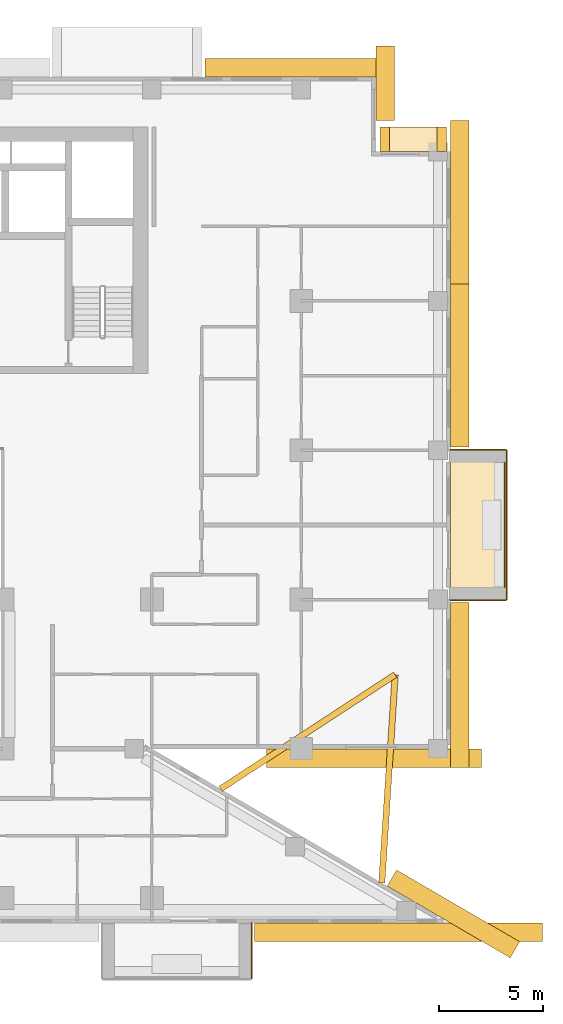
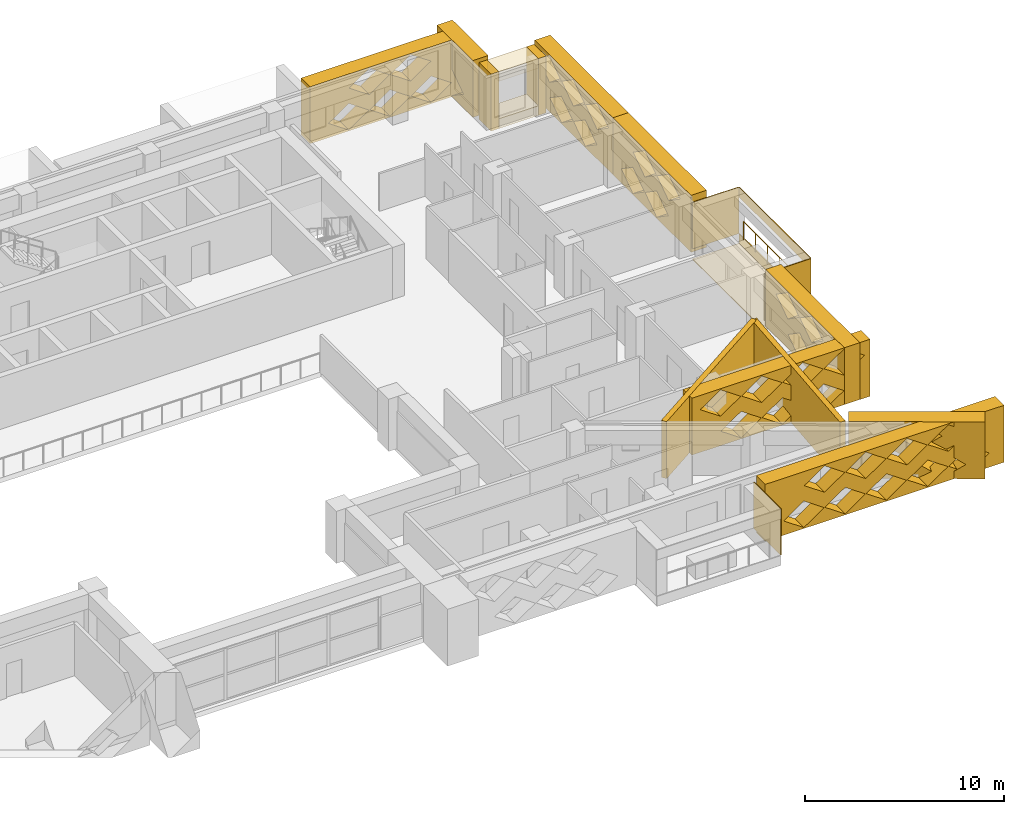
# One storey, part 20 of 20: 20 coverings, 1 railing.
"""IFC4 building model written with IfcOpenShell, lengths in metres."""

import ifcopenshell
import ifcopenshell.guid

model = None  # the IFC model being written
_history = None  # IfcOwnerHistory: only IFC2X3 demands one
_inside = {}  # id of a spatial element -> (the spatial element, [elements in it])
_under = {}  # id of a project, library or spatial element -> (it, [spatial elements below it])
_declared = {}  # id of a project -> (the project, [libraries it declares])
_typed = {}  # id of a type object -> (the type object, [elements of that type])
_made_of = {}  # id of a material, layer set ... -> (it, [elements and type objects made of it])


def new_model(schema):
    """Start an empty IFC model of exactly this schema.

    Asked for "IFC4X3", IfcOpenShell would pick the latest addendum, in which some entities
    have other attributes; the version numbers below select the first issue.
    IFC2X3 requires an IfcOwnerHistory on every rooted entity: one is made here for all.
    """
    global model, _history
    if schema == "IFC4X3":
        model = ifcopenshell.file(schema_version=(4, 3, 0, 0))
    else:
        model = ifcopenshell.file(schema=schema)
    _inside.clear()
    _under.clear()
    _declared.clear()
    _typed.clear()
    _made_of.clear()
    _history = None
    if model.schema == "IFC2X3":
        org = make("IfcOrganization", Name="unknown")
        user = make(
            "IfcPersonAndOrganization",
            ThePerson=make("IfcPerson", FamilyName="unknown"),
            TheOrganization=org,
        )
        app = make(
            "IfcApplication",
            ApplicationDeveloper=org,
            Version="unknown",
            ApplicationFullName="unknown",
            ApplicationIdentifier="unknown",
        )
        _history = make(
            "IfcOwnerHistory",
            OwningUser=user,
            OwningApplication=app,
            ChangeAction="ADDED",
            CreationDate=0,
        )
    return model


def make(cls, **values):
    """One entity of the class cls with the attributes given. An attribute that is None is left unset."""
    return model.create_entity(
        cls, **{name: value for name, value in values.items() if value is not None}
    )


def rooted(cls, **values):
    """An entity with a GlobalId (a new one), such as an element, a storey or a relation."""
    return make(cls, GlobalId=ifcopenshell.guid.new(), OwnerHistory=_history, **values)


def si_unit(unit_type, name, prefix=None):
    """IfcSIUnit, for example si_unit("LENGTHUNIT", "METRE", prefix="MILLI")."""
    return make("IfcSIUnit", UnitType=unit_type, Prefix=prefix, Name=name)


def assignment(units):
    """IfcUnitAssignment: the units of a project."""
    return None if units is None else make("IfcUnitAssignment", Units=units)


def point(xyz):
    """IfcCartesianPoint."""
    return None if xyz is None else make("IfcCartesianPoint", Coordinates=xyz)


def direction(xyz):
    """IfcDirection."""
    return None if xyz is None else make("IfcDirection", DirectionRatios=xyz)


def frame(location, z_axis=None, x_axis=None):
    """IfcAxis2Placement3D, a coordinate frame: its origin and axes. An axis left out is left unset."""
    return make(
        "IfcAxis2Placement3D",
        Location=point(location),
        Axis=direction(z_axis),
        RefDirection=direction(x_axis),
    )


def frame_2d(location, x_axis=None):
    """IfcAxis2Placement2D, a coordinate frame in the plane: its origin and x axis."""
    return make(
        "IfcAxis2Placement2D", Location=point(location), RefDirection=direction(x_axis)
    )


def origin():
    """The frame at (0, 0, 0) with its axes left unset."""
    return frame((0.0, 0.0, 0.0))


def origin_2d():
    """The frame at (0, 0) in the plane with its x axis left unset."""
    return frame_2d((0.0, 0.0))


def place(relative_to, where):
    """IfcLocalPlacement: puts the frame where relative to a parent placement (None: the world)."""
    return make(
        "IfcLocalPlacement", PlacementRelTo=relative_to, RelativePlacement=where
    )


def context(
    kind, dimensions, precision=None, world=None, true_north=None, identifier=None
):
    """IfcGeometricRepresentationContext, for example the 3D "Model" context."""
    return make(
        "IfcGeometricRepresentationContext",
        ContextIdentifier=identifier,
        ContextType=kind,
        CoordinateSpaceDimension=dimensions,
        Precision=precision,
        WorldCoordinateSystem=world,
        TrueNorth=true_north,
    )


def subcontext(parent, identifier, kind, view, scale=None):
    """IfcGeometricRepresentationSubContext, for example "Body" below "Model"."""
    return make(
        "IfcGeometricRepresentationSubContext",
        ContextIdentifier=identifier,
        ContextType=kind,
        ParentContext=parent,
        TargetScale=scale,
        TargetView=view,
    )


def project(units=None, contexts=None):
    """IfcProject with its units and contexts."""
    return rooted(
        "IfcProject",
        Name="project",
        RepresentationContexts=contexts,
        UnitsInContext=assignment(units),
    )


def spatial(cls, under=None, at=None, **own):
    """A site, building, storey or space (cls), placed at a placement, below another one or the project."""
    s = rooted(cls, ObjectPlacement=at, **own)
    if under is not None:
        _under.setdefault(under.id(), (under, []))[1].append(s)
    return s


def polyline(points):
    """IfcPolyline through the points."""
    return make("IfcPolyline", Points=[point(p) for p in points])


def profile(cls, at=None, kind="AREA", **sizes):
    """A parametric profile (cls). Its sizes go by their IFC names, for example OverallWidth=200.0."""
    return make(cls, ProfileType=kind, Position=at, **sizes)


def circle(**sizes):
    """IfcCircleProfileDef."""
    return profile("IfcCircleProfileDef", **sizes)


def outline(outer, holes=None, kind="AREA"):
    """IfcArbitraryClosedProfileDef: a profile drawn as a closed curve; with holes, ...WithVoids."""
    if holes is None:
        return make("IfcArbitraryClosedProfileDef", ProfileType=kind, OuterCurve=outer)
    return make(
        "IfcArbitraryProfileDefWithVoids",
        ProfileType=kind,
        OuterCurve=outer,
        InnerCurves=holes,
    )


def extrude(swept, where, along, depth):
    """IfcExtrudedAreaSolid: the profile swept, set in the frame where, extruded along a direction by depth."""
    return make(
        "IfcExtrudedAreaSolid",
        SweptArea=swept,
        Position=where,
        ExtrudedDirection=direction(along),
        Depth=depth,
    )


def shape(context_of_items, identifier, shape_type, items):
    """IfcShapeRepresentation: the items that make up one representation, for example the "Body"."""
    return make(
        "IfcShapeRepresentation",
        ContextOfItems=context_of_items,
        RepresentationIdentifier=identifier,
        RepresentationType=shape_type,
        Items=items,
    )


def material(Name=None, Category=None):
    """IfcMaterial."""
    return make("IfcMaterial", Name=Name, Category=Category)


def layer(
    of_material, thickness, ventilated=None, Name=None, Category=None, Priority=None
):
    """IfcMaterialLayer: one layer of a wall or slab, of a material (None: an air gap)."""
    return make(
        "IfcMaterialLayer",
        Material=of_material,
        LayerThickness=thickness,
        IsVentilated=ventilated,
        Name=Name,
        Category=Category,
        Priority=Priority,
    )


def layer_set(layers, Name=None):
    """IfcMaterialLayerSet."""
    return make("IfcMaterialLayerSet", MaterialLayers=layers, LayerSetName=Name)


def made_of(thing, what):
    """Note that an element or type object is made of a material, layer set ...; save() writes the relation."""
    if what is not None:
        _made_of.setdefault(what.id(), (what, []))[1].append(thing)
    return thing


def type_object(cls, material=None, **own):
    """A type object (cls), such as IfcWallType, which elements share."""
    return made_of(rooted(cls, **own), material)


def element(
    cls,
    number,
    at=None,
    inside=None,
    cuts=None,
    type_object=None,
    material=None,
    context=None,
    identifier="Body",
    shape_type=None,
    held_by="IfcProductDefinitionShape",
    body=None,
    shapes=None,
    **own,
):
    """One element of the class cls, such as IfcWall. Its Tag is "e" and its number.

    at: its placement. inside: the storey or other place that contains it. cuts: it is an
    opening in that element (IfcRelVoidsElement). A single representation is given by context,
    identifier, shape_type and body (its items); several are given by shapes. held_by: the class
    of the entity that holds the representations. save() writes the other relations.
    """
    e = rooted(cls, Tag="e%d" % number, ObjectPlacement=at, **own)
    if body is not None:
        shapes = [shape(context, identifier, shape_type, body)]
    if shapes is not None:
        e.Representation = make(held_by, Representations=shapes)
    if inside is not None:
        _inside.setdefault(inside.id(), (inside, []))[1].append(e)
    if cuts is not None:
        rooted(
            "IfcRelVoidsElement", RelatingBuildingElement=cuts, RelatedOpeningElement=e
        )
    if type_object is not None:
        _typed.setdefault(type_object.id(), (type_object, []))[1].append(e)
    return made_of(e, material)


def aggregate(whole, parts):
    """IfcRelAggregates: a whole, such as a stair, and the parts it consists of."""
    return rooted("IfcRelAggregates", RelatingObject=whole, RelatedObjects=parts)


def save(model, path):
    """Write the relations noted so far, then the file.

    IfcRelAggregates (storeys below a building ...), IfcRelContainedInSpatialStructure (elements
    in a storey), IfcRelDefinesByType, IfcRelAssociatesMaterial and IfcRelDeclares: one each for
    every whole, place, type object, material and project.
    """
    for whole, parts in _under.values():
        aggregate(whole, parts)
    for where, things in _inside.values():
        rooted(
            "IfcRelContainedInSpatialStructure",
            RelatedElements=things,
            RelatingStructure=where,
        )
    for kind, things in _typed.values():
        rooted("IfcRelDefinesByType", RelatedObjects=things, RelatingType=kind)
    for what, things in _made_of.values():
        rooted("IfcRelAssociatesMaterial", RelatedObjects=things, RelatingMaterial=what)
    for by, libraries in _declared.values():
        rooted("IfcRelDeclares", RelatingContext=by, RelatedDefinitions=libraries)
    model.write(path)


model = new_model("IFC4")

# Units and contexts
model_context = context("Model", 3, precision=1e-05, world=origin(), true_north=direction((0.0, 1.0)))
body_context = subcontext(model_context, "Body", "Model", "MODEL_VIEW")
ifc_project = project(units=[si_unit("LENGTHUNIT", "METRE"), si_unit("AREAUNIT", "SQUARE_METRE"), si_unit("VOLUMEUNIT", "CUBIC_METRE"), si_unit("PLANEANGLEUNIT", "RADIAN"), si_unit("MASSUNIT", "GRAM", prefix="KILO")], contexts=[model_context])

# Site, building, storey
site_placement = place(None, origin())
site = spatial("IfcSite", under=ifc_project, at=site_placement, CompositionType="ELEMENT")
building_placement = place(site_placement, origin())
building = spatial("IfcBuilding", under=site, at=building_placement, Name="Saffron Iwan Residences", CompositionType="ELEMENT")
storey_placement = place(building_placement, frame((0.0, 0.0, 123.5)))
storey = spatial("IfcBuildingStorey", under=building, at=storey_placement, Name="L32", CompositionType="ELEMENT", Elevation=123.5)

# Railing
ifc_material_1 = material(Name="Stainless steel 316", Category="steel")
railing_type = type_object("IfcRailingType", Name="BALCONY GUARD 1150", PredefinedType="GUARDRAIL", material=ifc_material_1)
railing_placement = place(storey_placement, frame((89.02490234375, 55.800048828125, 0.0)))
element("IfcRailing", 1, at=railing_placement, inside=storey, type_object=railing_type, Name="Balcony guard L32 F2-0", PredefinedType="GUARDRAIL", context=body_context, shape_type="SweptSolid", body=[
    extrude(circle(Radius=0.02392578125, at=origin_2d()), frame((0.0, 0.0, 1.1259765625), z_axis=(0.0, 1.0, 0.0), x_axis=(-1.0, 0.0, 0.0)), (0.0, 0.0, 1.0), 6.0),
    extrude(circle(Radius=0.02099609375, at=origin_2d()), origin(), (0.0, 0.0, 1.0), 1.101806640625),
    extrude(circle(Radius=0.02099609375, at=origin_2d()), frame((0.0, 1.199951171875, 0.0)), (0.0, 0.0, 1.0), 1.101806640625),
    extrude(circle(Radius=0.02099609375, at=origin_2d()), frame((0.0, 2.39990234375, 0.0)), (0.0, 0.0, 1.0), 1.101806640625),
    extrude(circle(Radius=0.02099609375, at=origin_2d()), frame((0.0, 3.60009765625, 0.0)), (0.0, 0.0, 1.0), 1.101806640625),
    extrude(circle(Radius=0.02099609375, at=origin_2d()), frame((0.0, 4.800048828125, 0.0)), (0.0, 0.0, 1.0), 1.101806640625),
    extrude(circle(Radius=0.02099609375, at=origin_2d()), frame((0.0, 6.0, 0.0)), (0.0, 0.0, 1.0), 1.101806640625),
])

# Coverings
ifc_material_2 = material(Name="Precast concrete C40/50 white painted", Category="concrete")
ifc_layer_1 = layer(ifc_material_2, 0.050048828125)
ifc_layer_set_1 = layer_set([ifc_layer_1], Name="Precast concrete C40/50 white painted")
covering_type_1 = type_object("IfcCoveringType", Name="FRAME SKIN PRECAST WHITE 50", PredefinedType="CLADDING", material=ifc_layer_set_1)
for number, where, name in (
    (2, (0.0, 0.0, -0.60009765625), "Frame skin slab edge L32 F2-0"),
    (3, (0.0, 0.0, 2.25), "Frame skin fascia L32 F2-0"),
):
    element("IfcCovering", number, at=place(storey_placement, frame(where)), inside=storey, type_object=covering_type_1, Name=name, PredefinedType="CLADDING", context=body_context, shape_type="SweptSolid", body=[
        extrude(outline(polyline([(89.14990234375, 55.199951171875), (89.14990234375, 62.39990234375), (89.10009765625, 62.39990234375), (89.10009765625, 55.199951171875), (89.14990234375, 55.199951171875)])), origin(), (0.0, 0.0, 1.0), 0.60009765625),
    ])
covering_1_placement = place(storey_placement, frame((0.0, 0.0, -0.64990234375)))
element("IfcCovering", 4, at=covering_1_placement, inside=storey, type_object=covering_type_1, Name="Frame skin soffit L32 F2-0", PredefinedType="CLADDING", context=body_context, shape_type="SweptSolid", body=[
    extrude(outline(polyline([(89.10009765625, 55.199951171875), (89.10009765625, 62.39990234375), (86.39990234375, 62.39990234375), (86.39990234375, 55.199951171875), (89.10009765625, 55.199951171875)])), origin(), (0.0, 0.0, 1.0), 0.0498046875),
])
covering_2_placement = place(storey_placement, origin())
element("IfcCovering", 5, at=covering_2_placement, inside=storey, type_object=covering_type_1, Name="Frame skin fin L32 F2-0a", PredefinedType="CLADDING", context=body_context, shape_type="SweptSolid", body=[
    extrude(outline(polyline([(89.10009765625, 55.14990234375), (89.10009765625, 55.199951171875), (86.39990234375, 55.199951171875), (86.39990234375, 55.14990234375), (89.10009765625, 55.14990234375)])), origin(), (0.0, 0.0, 1.0), 2.85009765625),
])
covering_3_placement = place(storey_placement, origin())
element("IfcCovering", 6, at=covering_3_placement, inside=storey, type_object=covering_type_1, Name="Frame skin fin L32 F2-0b", PredefinedType="CLADDING", context=body_context, shape_type="SweptSolid", body=[
    extrude(outline(polyline([(89.10009765625, 62.39990234375), (89.10009765625, 62.449951171875), (86.39990234375, 62.449951171875), (86.39990234375, 62.39990234375), (89.10009765625, 62.39990234375)])), origin(), (0.0, 0.0, 1.0), 2.85009765625),
])
covering_4_placement = place(storey_placement, origin())
element("IfcCovering", 7, at=covering_4_placement, inside=storey, type_object=covering_type_1, Name="Frame skin fin L32 11-1b", PredefinedType="CLADDING", context=body_context, shape_type="SweptSolid", body=[
    extrude(outline(polyline([(76.800048828125, 36.89990234375), (76.85009765625, 36.89990234375), (76.85009765625, 39.60009765625), (76.800048828125, 39.60009765625), (76.800048828125, 36.89990234375)])), origin(), (0.0, 0.0, 1.0), 2.85009765625),
])
ifc_material_3 = material(Name="Precast concrete C40/50", Category="concrete")
covering_type_2 = type_object("IfcCoveringType", Name="OUTER SKIN LATTICE SCREEN", PredefinedType="CLADDING", material=ifc_material_3)
covering_5_placement = place(storey_placement, frame((89.283935546875, 37.917724609375, -0.300048828125), z_axis=(0.503803550485, 0.863818257806, 0.0), x_axis=(-0.863818257806, 0.503803550485, 0.0)))
element("IfcCovering", 8, at=covering_5_placement, inside=storey, type_object=covering_type_2, Name="OUTER SKIN lattice screen L32 F0.0", PredefinedType="CLADDING", context=body_context, shape_type="SweptSolid", body=[
    extrude(outline(polyline([(0.0, 0.0), (6.874267578125, 0.0), (6.874267578125, 3.5), (0.0, 3.5), (0.0, 0.0)]), holes=[polyline([(0.958740234375, 0.875), (2.138671875, 0.06005859375), (3.318603515625, 0.875), (2.138671875, 1.68994140625), (0.958740234375, 0.875)]), polyline([(3.358642578125, 0.875), (4.538818359375, 0.06005859375), (5.71875, 0.875), (4.538818359375, 1.68994140625), (3.358642578125, 0.875)]), polyline([(2.15869140625, 2.625), (3.338623046875, 1.81005859375), (4.518798828125, 2.625), (3.338623046875, 3.43994140625), (2.15869140625, 2.625)])]), origin(), (0.0, 0.0, 1.0), 0.89990234375),
])
covering_6_placement = place(storey_placement, frame((77.538818359375, 48.0, -0.300048828125), z_axis=(0.0, -1.0, 0.0), x_axis=(1.0, 0.0, 0.0)))
element("IfcCovering", 9, at=covering_6_placement, inside=storey, type_object=covering_type_2, Name="OUTER SKIN lattice screen L32 F1.0", PredefinedType="CLADDING", context=body_context, shape_type="SweptSolid", body=[
    extrude(outline(polyline([(0.0, 0.0), (10.361328125, 0.0), (10.361328125, 3.5), (0.0, 3.5), (0.0, 0.0)]), holes=[polyline([(1.681396484375, 0.875), (2.861328125, 0.06005859375), (4.041259765625, 0.875), (2.861328125, 1.68994140625), (1.681396484375, 0.875)]), polyline([(4.081298828125, 0.875), (5.26123046875, 0.06005859375), (6.44140625, 0.875), (5.26123046875, 1.68994140625), (4.081298828125, 0.875)]), polyline([(6.481201171875, 0.875), (7.661376953125, 0.06005859375), (8.84130859375, 0.875), (7.661376953125, 1.68994140625), (6.481201171875, 0.875)]), polyline([(0.481201171875, 2.625), (1.661376953125, 1.81005859375), (2.84130859375, 2.625), (1.661376953125, 3.43994140625), (0.481201171875, 2.625)]), polyline([(2.88134765625, 2.625), (4.061279296875, 1.81005859375), (5.2412109375, 2.625), (4.061279296875, 3.43994140625), (2.88134765625, 2.625)]), polyline([(5.28125, 2.625), (6.461181640625, 1.81005859375), (7.641357421875, 2.625), (6.461181640625, 3.43994140625), (5.28125, 2.625)]), polyline([(7.681396484375, 2.625), (8.861328125, 1.81005859375), (10.041259765625, 2.625), (8.861328125, 3.43994140625), (7.681396484375, 2.625)])]), origin(), (0.0, 0.0, 1.0), 0.89990234375),
])
covering_7_placement = place(storey_placement, frame((86.39990234375, 47.10009765625, -0.300048828125), z_axis=(1.0, 0.0, 0.0), x_axis=(0.0, 1.0, 0.0)))
element("IfcCovering", 10, at=covering_7_placement, inside=storey, type_object=covering_type_2, Name="OUTER SKIN lattice screen L32 F2.0", PredefinedType="CLADDING", context=body_context, shape_type="SweptSolid", body=[
    extrude(outline(polyline([(0.0, 0.0), (7.949951171875, 0.0), (7.949951171875, 3.5), (0.0, 3.5), (0.0, 0.0)]), holes=[polyline([(0.919921875, 0.875), (2.10009765625, 0.06005859375), (3.280029296875, 0.875), (2.10009765625, 1.68994140625), (0.919921875, 0.875)]), polyline([(3.320068359375, 0.875), (4.5, 0.06005859375), (5.679931640625, 0.875), (4.5, 1.68994140625), (3.320068359375, 0.875)]), polyline([(2.1201171875, 2.625), (3.300048828125, 1.81005859375), (4.47998046875, 2.625), (3.300048828125, 3.43994140625), (2.1201171875, 2.625)]), polyline([(4.52001953125, 2.625), (5.699951171875, 1.81005859375), (6.8798828125, 2.625), (5.699951171875, 3.43994140625), (4.52001953125, 2.625)])]), origin(), (0.0, 0.0, 1.0), 0.900146484375),
])
covering_8_placement = place(storey_placement, frame((86.39990234375, 62.550048828125, -0.300048828125), z_axis=(1.0, 0.0, 0.0), x_axis=(0.0, 1.0, 0.0)))
element("IfcCovering", 11, at=covering_8_placement, inside=storey, type_object=covering_type_2, Name="OUTER SKIN lattice screen L32 F2.1", PredefinedType="CLADDING", context=body_context, shape_type="SweptSolid", body=[
    extrude(outline(polyline([(0.0, 0.0), (7.875, 0.0), (7.875, 3.5), (0.0, 3.5), (0.0, 0.0)]), holes=[polyline([(2.27001953125, 0.875), (3.449951171875, 0.06005859375), (4.6298828125, 0.875), (3.449951171875, 1.68994140625), (2.27001953125, 0.875)]), polyline([(4.669921875, 0.875), (5.85009765625, 0.06005859375), (7.030029296875, 0.875), (5.85009765625, 1.68994140625), (4.669921875, 0.875)]), polyline([(1.070068359375, 2.625), (2.25, 1.81005859375), (3.429931640625, 2.625), (2.25, 3.43994140625), (1.070068359375, 2.625)]), polyline([(3.469970703125, 2.625), (4.64990234375, 1.81005859375), (5.830078125, 2.625), (4.64990234375, 3.43994140625), (3.469970703125, 2.625)])]), origin(), (0.0, 0.0, 1.0), 0.900146484375),
])
covering_9_placement = place(storey_placement, frame((86.39990234375, 70.425048828125, -0.300048828125), z_axis=(1.0, 0.0, 0.0), x_axis=(0.0, 1.0, 0.0)))
element("IfcCovering", 12, at=covering_9_placement, inside=storey, type_object=covering_type_2, Name="OUTER SKIN lattice screen L32 F2.2", PredefinedType="CLADDING", context=body_context, shape_type="SweptSolid", body=[
    extrude(outline(polyline([(0.0, 0.0), (7.875, 0.0), (7.875, 3.5), (0.0, 3.5), (0.0, 0.0)]), holes=[polyline([(1.594970703125, 0.875), (2.77490234375, 0.06005859375), (3.955078125, 0.875), (2.77490234375, 1.68994140625), (1.594970703125, 0.875)]), polyline([(3.9951171875, 0.875), (5.175048828125, 0.06005859375), (6.35498046875, 0.875), (5.175048828125, 1.68994140625), (3.9951171875, 0.875)]), polyline([(0.39501953125, 2.625), (1.574951171875, 1.81005859375), (2.7548828125, 2.625), (1.574951171875, 3.43994140625), (0.39501953125, 2.625)]), polyline([(2.794921875, 2.625), (3.97509765625, 1.81005859375), (5.155029296875, 2.625), (3.97509765625, 3.43994140625), (2.794921875, 2.625)]), polyline([(5.195068359375, 2.625), (6.375, 1.81005859375), (7.554931640625, 2.625), (6.375, 3.43994140625), (5.195068359375, 2.625)])]), origin(), (0.0, 0.0, 1.0), 0.900146484375),
])
covering_10_placement = place(storey_placement, frame((82.800048828125, 78.300048828125, -0.300048828125), z_axis=(1.0, 0.0, 0.0), x_axis=(0.0, 1.0, 0.0)))
element("IfcCovering", 13, at=covering_10_placement, inside=storey, type_object=covering_type_2, Name="OUTER SKIN lattice screen L32 F4.0", PredefinedType="CLADDING", context=body_context, shape_type="SweptSolid", body=[
    extrude(outline(polyline([(0.0, 0.0), (3.60009765625, 0.0), (3.60009765625, 3.5), (0.0, 3.5), (0.0, 0.0)]), holes=[polyline([(0.919921875, 0.875), (2.10009765625, 0.06005859375), (3.280029296875, 0.875), (2.10009765625, 1.68994140625), (0.919921875, 0.875)])]), origin(), (0.0, 0.0, 1.0), 0.89990234375),
])
covering_11_placement = place(storey_placement, frame((83.699951171875, 80.39990234375, -0.300048828125), z_axis=(0.0, 1.0, 0.0), x_axis=(-1.0, 0.0, 0.0)))
element("IfcCovering", 14, at=covering_11_placement, inside=storey, type_object=covering_type_2, Name="OUTER SKIN lattice screen L32 F5.0", PredefinedType="CLADDING", context=body_context, shape_type="SweptSolid", body=[
    extrude(outline(polyline([(0.0, 0.0), (9.14990234375, 0.0), (9.14990234375, 3.5), (0.0, 3.5), (0.0, 0.0)]), holes=[polyline([(0.919921875, 0.875), (2.10009765625, 0.06005859375), (3.280029296875, 0.875), (2.10009765625, 1.68994140625), (0.919921875, 0.875)]), polyline([(3.320068359375, 0.875), (4.5, 0.06005859375), (5.679931640625, 0.875), (4.5, 1.68994140625), (3.320068359375, 0.875)]), polyline([(5.719970703125, 0.875), (6.89990234375, 0.06005859375), (8.080078125, 0.875), (6.89990234375, 1.68994140625), (5.719970703125, 0.875)]), polyline([(2.1201171875, 2.625), (3.300048828125, 1.81005859375), (4.47998046875, 2.625), (3.300048828125, 3.43994140625), (2.1201171875, 2.625)]), polyline([(4.52001953125, 2.625), (5.699951171875, 1.81005859375), (6.8798828125, 2.625), (5.699951171875, 3.43994140625), (4.52001953125, 2.625)])]), origin(), (0.0, 0.0, 1.0), 0.900146484375),
])
covering_12_placement = place(storey_placement, frame((76.949951171875, 39.60009765625, -0.300048828125), z_axis=(0.0, -1.0, 0.0), x_axis=(1.0, 0.0, 0.0)))
element("IfcCovering", 15, at=covering_12_placement, inside=storey, type_object=covering_type_2, Name="OUTER SKIN lattice screen L32 F11.3", PredefinedType="CLADDING", context=body_context, shape_type="SweptSolid", body=[
    extrude(outline(polyline([(0.0, 0.0), (13.888671875, 0.0), (13.888671875, 3.5), (0.0, 3.5), (0.0, 0.0)]), holes=[polyline([(1.070068359375, 0.875), (2.25, 0.06005859375), (3.429931640625, 0.875), (2.25, 1.68994140625), (1.070068359375, 0.875)]), polyline([(3.469970703125, 0.875), (4.64990234375, 0.06005859375), (5.830078125, 0.875), (4.64990234375, 1.68994140625), (3.469970703125, 0.875)]), polyline([(5.8701171875, 0.875), (7.050048828125, 0.06005859375), (8.22998046875, 0.875), (7.050048828125, 1.68994140625), (5.8701171875, 0.875)]), polyline([(8.27001953125, 0.875), (9.449951171875, 0.06005859375), (10.6298828125, 0.875), (9.449951171875, 1.68994140625), (8.27001953125, 0.875)]), polyline([(10.669921875, 0.875), (11.85009765625, 0.06005859375), (13.030029296875, 0.875), (11.85009765625, 1.68994140625), (10.669921875, 0.875)]), polyline([(2.27001953125, 2.625), (3.449951171875, 1.81005859375), (4.6298828125, 2.625), (3.449951171875, 3.43994140625), (2.27001953125, 2.625)]), polyline([(4.669921875, 2.625), (5.85009765625, 1.81005859375), (7.030029296875, 2.625), (5.85009765625, 3.43994140625), (4.669921875, 2.625)]), polyline([(7.070068359375, 2.625), (8.25, 1.81005859375), (9.429931640625, 2.625), (8.25, 3.43994140625), (7.070068359375, 2.625)]), polyline([(9.469970703125, 2.625), (10.64990234375, 1.81005859375), (11.830078125, 2.625), (10.64990234375, 3.43994140625), (9.469970703125, 2.625)])]), origin(), (0.0, 0.0, 1.0), 0.900146484375),
])
ifc_layer_2 = layer(ifc_material_2, 0.300048828125)
ifc_layer_set_2 = layer_set([ifc_layer_2], Name="Precast concrete C40/50 white painted")
covering_type_3 = type_object("IfcCoveringType", Name="PROW NOSE BLADE PRECAST WHITE", PredefinedType="CLADDING", material=ifc_layer_set_2)
covering_13_placement = place(storey_placement, frame((0.0, 0.0, -0.300048828125)))
element("IfcCovering", 16, at=covering_13_placement, inside=storey, type_object=covering_type_3, Name="Prow nose blade L32 a", PredefinedType="CLADDING", context=body_context, shape_type="SweptSolid", body=[
    extrude(outline(polyline([(83.23681640625, 41.52294921875), (83.884521484375, 51.564453125), (83.585205078125, 51.583740234375), (82.937255859375, 41.542236328125), (83.23681640625, 41.52294921875)])), origin(), (0.0, 0.0, 1.0), 3.5),
])
covering_14_placement = place(storey_placement, frame((0.0, 0.0, -0.300048828125)))
element("IfcCovering", 17, at=covering_14_placement, inside=storey, type_object=covering_type_3, Name="Prow nose blade L32 b", PredefinedType="CLADDING", context=body_context, shape_type="SweptSolid", body=[
    extrude(outline(polyline([(75.39501953125, 45.94189453125), (83.81689453125, 51.448486328125), (83.65283203125, 51.69970703125), (75.23095703125, 46.193115234375), (75.39501953125, 45.94189453125)])), origin(), (0.0, 0.0, 1.0), 3.5),
])
covering_type_4 = type_object("IfcCoveringType", Name="WHITE SUN FRAME PRECAST", PredefinedType="CLADDING", material=ifc_material_2)
for number, where, z_axis, x_axis, name in (
    (18, (86.199951171875, 76.800048828125, -0.300048828125), (0.0, 1.0, 0.0), (-1.0, 0.0, 0.0), "Sun frame L32 F3 0.2a"),
    (19, (83.449951171875, 76.800048828125, -0.300048828125), (0.0, 1.0, 0.0), (-1.0, 0.0, 0.0), "Sun frame L32 F3 0.2b"),
):
    element("IfcCovering", number, at=place(storey_placement, frame(where, z_axis=z_axis, x_axis=x_axis)), inside=storey, type_object=covering_type_4, Name=name, PredefinedType="CLADDING", context=body_context, shape_type="SweptSolid", body=[
        extrude(outline(polyline([(0.0, 0.0), (0.449951171875, 0.0), (0.449951171875, 3.5), (0.0, 3.5), (0.0, 0.0)])), origin(), (0.0, 0.0, 1.0), 1.199951171875),
    ])
for number, where, z_axis, x_axis, name in (
    (20, (85.75, 76.800048828125, 2.60009765625), (0.0, 1.0, 0.0), (-1.0, 0.0, 0.0), "Sun frame L32 F3 0.2h"),
    (21, (85.75, 76.800048828125, -0.300048828125), (0.0, 1.0, 0.0), (-1.0, 0.0, 0.0), "Sun frame L32 F3 0.2s"),
):
    element("IfcCovering", number, at=place(storey_placement, frame(where, z_axis=z_axis, x_axis=x_axis)), inside=storey, type_object=covering_type_4, Name=name, PredefinedType="CLADDING", context=body_context, shape_type="SweptSolid", body=[
        extrude(outline(polyline([(0.0, 0.0), (2.300048828125, 0.0), (2.300048828125, 0.60009765625), (0.0, 0.60009765625), (0.0, 0.0)])), origin(), (0.0, 0.0, 1.0), 1.199951171875),
    ])

save(model, "model.ifc")
